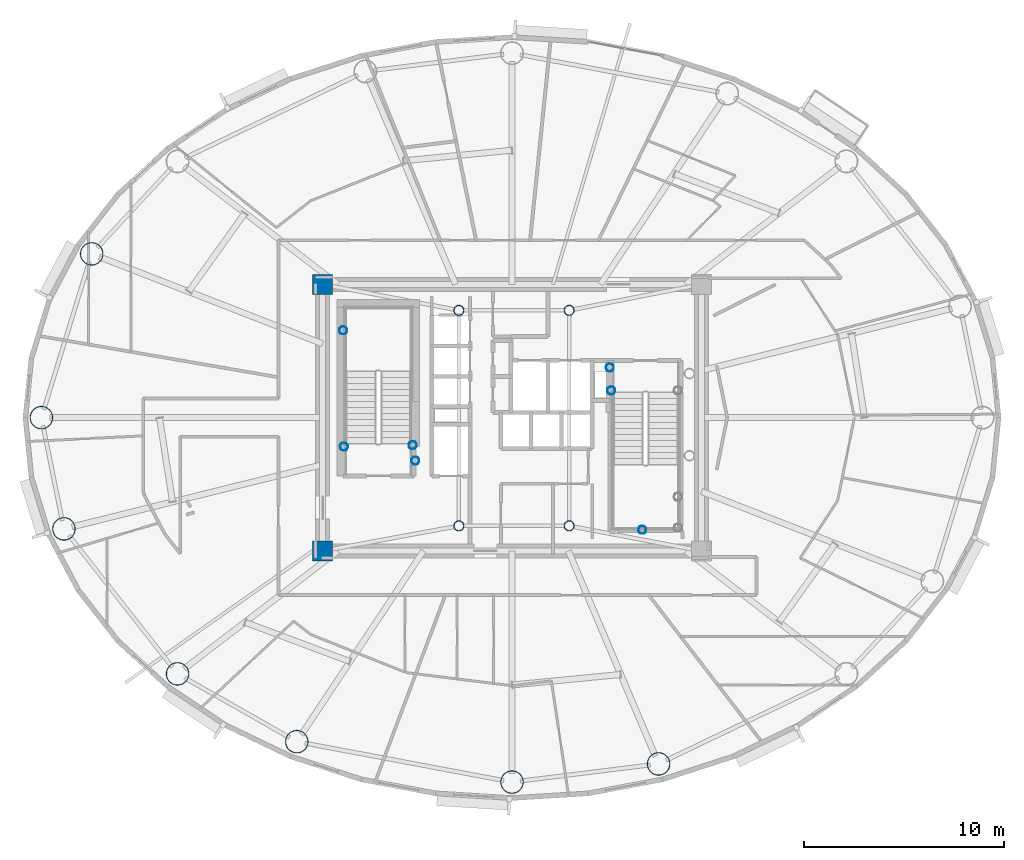
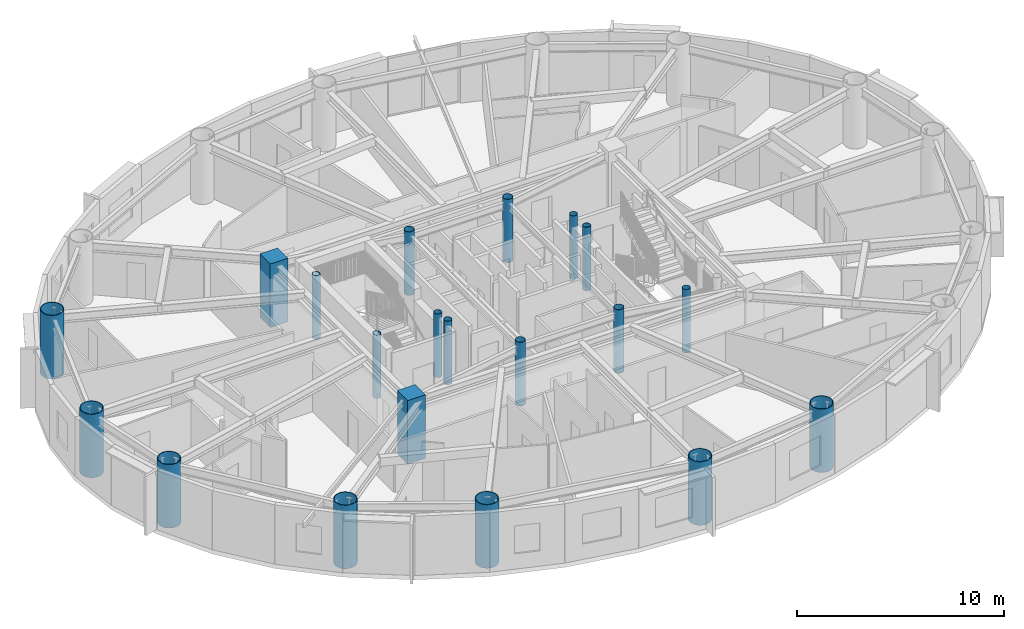
# One storey, part 1 of 21: 20 columns.
"""IFC4 building model written with IfcOpenShell, lengths in metres."""

from ifc_helpers import new_model, si_unit, direction, frame, origin, origin_2d, place, context, subcontext, project, spatial, rectangle, hollow_circle, extrude, material, material_profile, profile_set, type_object, element, save


model = new_model("IFC4")

# Units and contexts
model_context = context("Model", 3, precision=1e-05, world=origin(), true_north=direction((0.0, 1.0)))
body_context = subcontext(model_context, "Body", "Model", "MODEL_VIEW")
ifc_project = project(units=[si_unit("LENGTHUNIT", "METRE"), si_unit("AREAUNIT", "SQUARE_METRE"), si_unit("VOLUMEUNIT", "CUBIC_METRE"), si_unit("PLANEANGLEUNIT", "RADIAN"), si_unit("MASSUNIT", "GRAM", prefix="KILO")], contexts=[model_context])

# Site, building, storey
site_placement = place(None, origin())
site = spatial("IfcSite", under=ifc_project, at=site_placement, CompositionType="ELEMENT")
building_placement = place(site_placement, origin())
building = spatial("IfcBuilding", under=site, at=building_placement, Name="Linh Dai School and Residence Tower", CompositionType="ELEMENT")
storey_placement = place(building_placement, frame((0.0, 0.0, 229.050048828125)))
storey = spatial("IfcBuildingStorey", under=building, at=storey_placement, Name="L56", CompositionType="ELEMENT", Elevation=229.050048828125)

# Columns
ifc_material_1 = material(Name="Concrete B45 (C35/45)", Category="concrete")
ifc_material_profile_1 = material_profile(ifc_material_1, rectangle(XDim=1.0, YDim=1.0, at=origin_2d()), Name="RC 1000x1000")
ifc_profile_set_1 = profile_set([ifc_material_profile_1], Name="Concrete B45 (C35/45)")
column_type_1 = type_object("IfcColumnType", Name="COL-CC3", PredefinedType="COLUMN", material=ifc_profile_set_1)
for number, where, z_axis, x_axis, name in (
    (1, (26.550048828125, 20.35009765625, 0.0), (0.0, 0.0, 1.0), (1.0, 0.0, 0.0), "L56 Core Corner Pier CC1"),
    (2, (26.550048828125, 33.64990234375, 0.0), (0.0, 0.0, 1.0), (1.0, 0.0, 0.0), "L56 Core Corner Pier CC4"),
):
    element("IfcColumn", number, at=place(storey_placement, frame(where, z_axis=z_axis, x_axis=x_axis)), inside=storey, type_object=column_type_1, Name=name, PredefinedType="COLUMN", context=body_context, shape_type="SweptSolid", body=[
        extrude(rectangle(XDim=1.0, YDim=1.0, at=origin_2d()), origin(), (0.0, 0.0, 1.0), 3.75),
    ])
ifc_material_2 = material(Name="Structural Steel S355JR", Category="steel")
ifc_material_profile_2 = material_profile(ifc_material_2, hollow_circle(Radius=0.203125, WallThickness=0.01611328125, at=origin_2d()), Name="CHS 406.4x16")
ifc_profile_set_2 = profile_set([ifc_material_profile_2], Name="Structural Steel S355JR")
column_type_2 = type_object("IfcColumnType", Name="COL-EC", PredefinedType="COLUMN", material=ifc_profile_set_2)
for number, where, z_axis, x_axis, name in (
    (3, (27.580078125, 31.35009765625, 0.0), (0.0, 0.0, 1.0), (1.0, 0.0, 0.0), "L56 Stair Shaft Landing Support Pier ST1NW"),
    (4, (31.050048828125, 25.6201171875, 0.0), (0.0, 0.0, 1.0), (1.0, 0.0, 0.0), "L56 Stair Shaft Landing Support Pier ST1SE"),
    (5, (31.179931640625, 24.85009765625, 0.0), (0.0, 0.0, 1.0), (1.0, 0.0, 0.0), "L56 Stair Shaft Landing Support Pier ST1SM"),
    (6, (27.6201171875, 25.550048828125, 0.0), (0.0, 0.0, 1.0), (1.0, 0.0, 0.0), "L56 Stair Shaft Landing Support Pier ST1SW"),
    (7, (42.5, 21.39990234375, 0.0), (0.0, 0.0, 1.0), (1.0, 0.0, 0.0), "L56 Stair Shaft Landing Support Pier ST2MS"),
    (8, (40.949951171875, 28.35009765625, 0.0), (0.0, 0.0, 1.0), (1.0, 0.0, 0.0), "L56 Stair Shaft Landing Support Pier ST2N1"),
    (9, (40.8798828125, 29.5, 0.0), (0.0, 0.0, 1.0), (1.0, 0.0, 0.0), "L56 Stair Shaft Landing Support Pier ST2N3"),
):
    element("IfcColumn", number, at=place(storey_placement, frame(where, z_axis=z_axis, x_axis=x_axis)), inside=storey, type_object=column_type_2, Name=name, PredefinedType="COLUMN", context=body_context, shape_type="SweptSolid", body=[
        extrude(hollow_circle(Radius=0.203125, WallThickness=0.01611328125, at=origin_2d()), origin(), (0.0, 0.0, 1.0), 3.75),
    ])
ifc_material_profile_3 = material_profile(ifc_material_2, hollow_circle(Radius=0.574951171875, WallThickness=0.035888671875, at=origin_2d()), Name="CHS 1150x36")
ifc_profile_set_3 = profile_set([ifc_material_profile_3], Name="Structural Steel S355JR")
column_type_3 = type_object("IfcColumnType", Name="COL-MC5", PredefinedType="COLUMN", material=ifc_profile_set_3)
for number, where, z_axis, x_axis, name in (
    (10, (15.03466796875, 35.1689453125, 0.0), (0.0, 0.0, 1.0), (1.0, 0.0, 0.0), "L56 Perimeter CFT Mega-Column MC08"),
    (11, (12.52490234375, 27.0, 0.0), (0.0, 0.0, 1.0), (1.0, 0.0, 0.0), "L56 Perimeter CFT Mega-Column MC09"),
    (12, (13.648681640625, 21.45068359375, 0.0), (0.0, 0.0, 1.0), (1.0, 0.0, 0.0), "L56 Perimeter CFT Mega-Column MC10"),
    (13, (19.31689453125, 14.218994140625, 0.0), (0.0, 0.0, 1.0), (1.0, 0.0, 0.0), "L56 Perimeter CFT Mega-Column MC11"),
    (14, (25.265380859375, 10.83642578125, 0.0), (0.0, 0.0, 1.0), (1.0, 0.0, 0.0), "L56 Perimeter CFT Mega-Column MC12"),
    (15, (36.0, 8.820068359375, 0.0), (0.0, 0.0, 1.0), (1.0, 0.0, 0.0), "L56 Perimeter CFT Mega-Column MC13"),
    (16, (43.31201171875, 9.7265625, 0.0), (0.0, 0.0, 1.0), (1.0, 0.0, 0.0), "L56 Perimeter CFT Mega-Column MC14"),
):
    element("IfcColumn", number, at=place(storey_placement, frame(where, z_axis=z_axis, x_axis=x_axis)), inside=storey, type_object=column_type_3, Name=name, PredefinedType="COLUMN", context=body_context, shape_type="SweptSolid", body=[
        extrude(hollow_circle(Radius=0.574951171875, WallThickness=0.035888671875, at=origin_2d()), origin(), (0.0, 0.0, 1.0), 3.75),
    ])
ifc_material_profile_4 = material_profile(ifc_material_2, hollow_circle(Radius=0.25390625, WallThickness=0.02001953125, at=origin_2d()), Name="CHS 508x20")
ifc_profile_set_4 = profile_set([ifc_material_profile_4], Name="Structural Steel S355JR")
column_type_4 = type_object("IfcColumnType", Name="COL-MCP", PredefinedType="COLUMN", material=ifc_profile_set_4)
for number, where, z_axis, x_axis, name in (
    (17, (33.35009765625, 21.60009765625, 0.0), (0.0, 0.0, 1.0), (1.0, 0.0, 0.0), "L56 Core Mast Support Pier MCP1"),
    (18, (38.85009765625, 21.60009765625, 0.0), (0.0, 0.0, 1.0), (1.0, 0.0, 0.0), "L56 Core Mast Support Pier MCP2"),
    (19, (38.85009765625, 32.35009765625, 0.0), (0.0, 0.0, 1.0), (1.0, 0.0, 0.0), "L56 Core Mast Support Pier MCP3"),
    (20, (33.35009765625, 32.35009765625, 0.0), (0.0, 0.0, 1.0), (1.0, 0.0, 0.0), "L56 Core Mast Support Pier MCP4"),
):
    element("IfcColumn", number, at=place(storey_placement, frame(where, z_axis=z_axis, x_axis=x_axis)), inside=storey, type_object=column_type_4, Name=name, PredefinedType="COLUMN", context=body_context, shape_type="SweptSolid", body=[
        extrude(hollow_circle(Radius=0.25390625, WallThickness=0.02001953125, at=origin_2d()), origin(), (0.0, 0.0, 1.0), 3.75),
    ])

save(model, "model.ifc")
